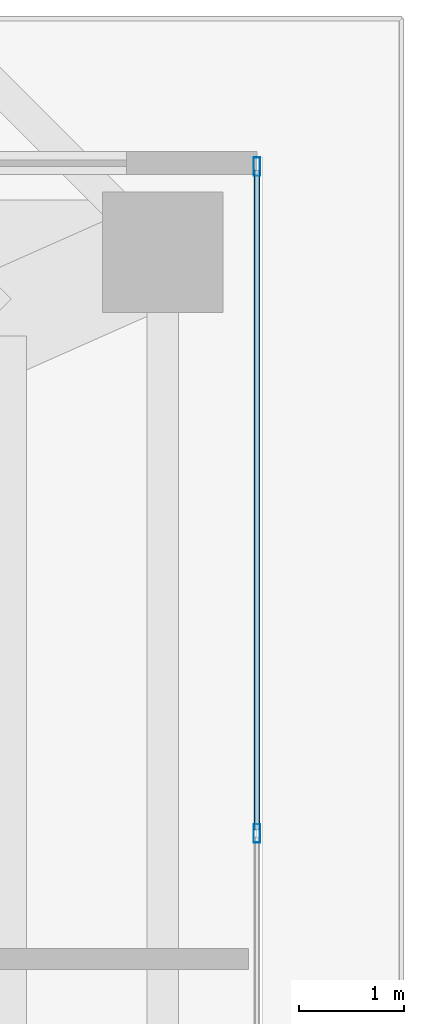
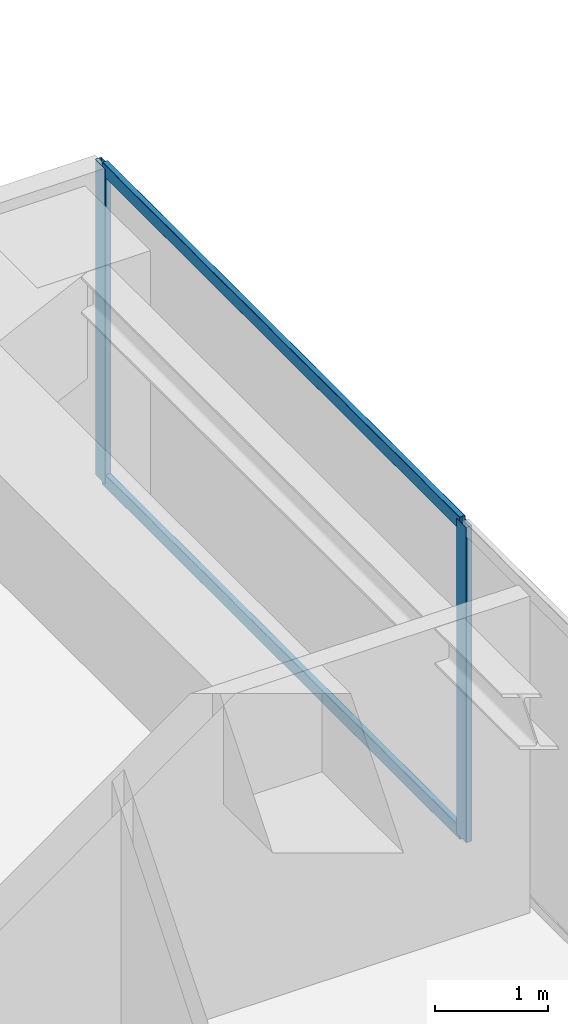
# One storey, part 25 of 39: 4 members, 1 element without a shape of its own.
"""IFC4 building model written with IfcOpenShell, lengths in metres."""

from ifc_helpers import new_model, si_unit, direction, frame, origin, origin_2d, place, context, subcontext, project, spatial, hollow_rectangle, extrude, source, transform, mapped, material, layer, layer_set, material_profile, profile_set, type_object, element, aggregate, save


model = new_model("IFC4")

# Units and contexts
model_context = context("Model", 3, precision=1e-05, world=origin(), true_north=direction((0.0, 1.0)))
body_context = subcontext(model_context, "Body", "Model", "MODEL_VIEW")
ifc_project = project(units=[si_unit("LENGTHUNIT", "METRE"), si_unit("AREAUNIT", "SQUARE_METRE"), si_unit("VOLUMEUNIT", "CUBIC_METRE"), si_unit("PLANEANGLEUNIT", "RADIAN"), si_unit("MASSUNIT", "GRAM", prefix="KILO")], contexts=[model_context])

# Site, building, storey
site_placement = place(None, origin())
site = spatial("IfcSite", under=ifc_project, at=site_placement, CompositionType="ELEMENT")
building_placement = place(site_placement, origin())
building = spatial("IfcBuilding", under=site, at=building_placement, Name="Serunith Strait Residences", CompositionType="ELEMENT")
storey_placement = place(building_placement, frame((0.0, 0.0, 283.60009765625)))
storey = spatial("IfcBuildingStorey", under=building, at=storey_placement, Name="L71", CompositionType="ELEMENT", Elevation=283.60009765625)

# Curtain wall, members
ifc_material = material(Name="Pale-Champagne Anodised Aluminium", Category="aluminium")
ifc_layer = layer(ifc_material, 0.199951171875, Name="Pale-Champagne Anodised Aluminium")
ifc_layer_set = layer_set([ifc_layer], Name="Pale-Champagne Anodised Aluminium")
curtain_wall_type = type_object("IfcCurtainWallType", Name="CW-SYS4", PredefinedType="NOTDEFINED", material=ifc_layer_set)
curtain_wall_placement = place(storey_placement, origin())
curtain_wall = element("IfcCurtainWall", 1, at=curtain_wall_placement, inside=storey, type_object=curtain_wall_type, Name="L71 E Unitised Fritted Curtain Wall", PredefinedType="NOTDEFINED")
ifc_material_profile_1 = material_profile(ifc_material, hollow_rectangle(XDim=0.06005859375, YDim=0.139892578125, WallThickness=0.00341796875, InnerFilletRadius=0.00537109375, OuterFilletRadius=0.0087890625, at=origin_2d()), Name="ALU 140x60x3.5")
ifc_profile_set_1 = profile_set([ifc_material_profile_1], Name="Pale-Champagne Anodised Aluminium")
member_type_1 = type_object("IfcMemberType", Name="CW-SYS4-TRAN", PredefinedType="USERDEFINED", material=ifc_profile_set_1)
shared_shape_1 = source(origin(), body_context, "Body", "SweptSolid", [
    extrude(hollow_rectangle(XDim=0.06005859375, YDim=0.139892578125, WallThickness=0.00341796875, InnerFilletRadius=0.00537109375, OuterFilletRadius=0.0087890625, at=origin_2d()), origin(), (0.0, 0.0, 1.0), 6.302490234375),
])
member_1_placement = place(storey_placement, frame((57.39990234375, 34.83251953125, 0.02978515625), z_axis=(0.0, 1.0, 0.0), x_axis=(-1.0, 0.0, 0.0)))
member_1 = element("IfcMember", 2, at=member_1_placement, type_object=member_type_1, Name="CW-4 transom 5.1", ObjectType="TRANSOM", PredefinedType="USERDEFINED", context=body_context, shape_type="MappedRepresentation", body=[
    mapped(shared_shape_1, transform((0.0, 0.0, 0.0), scale=1.0)),
])
member_2_placement = place(storey_placement, frame((57.39990234375, 34.83251953125, 3.364990234375), z_axis=(0.0, 1.0, 0.0), x_axis=(-1.0, 0.0, 0.0)))
member_2 = element("IfcMember", 3, at=member_2_placement, type_object=member_type_1, Name="CW-4 transom 5.2", ObjectType="TRANSOM", PredefinedType="USERDEFINED", context=body_context, shape_type="MappedRepresentation", body=[
    mapped(shared_shape_1, transform((0.0, 0.0, 0.0), scale=1.0)),
])
ifc_material_profile_2 = material_profile(ifc_material, hollow_rectangle(XDim=0.06494140625, YDim=0.179931640625, WallThickness=0.00341796875, InnerFilletRadius=0.00537109375, OuterFilletRadius=0.0087890625, at=origin_2d()), Name="ALU 180x65x3.5")
ifc_profile_set_2 = profile_set([ifc_material_profile_2], Name="Pale-Champagne Anodised Aluminium")
member_type_2 = type_object("IfcMemberType", Name="CW-SYS4-MULL", PredefinedType="MULLION", material=ifc_profile_set_2)
shared_shape_2 = source(origin(), body_context, "Body", "SweptSolid", [
    extrude(hollow_rectangle(XDim=0.06494140625, YDim=0.179931640625, WallThickness=0.00341796875, InnerFilletRadius=0.00537109375, OuterFilletRadius=0.0087890625, at=origin_2d()), origin(), (0.0, 0.0, 1.0), 3.39501953125),
])
member_3_placement = place(storey_placement, frame((57.39990234375, 34.800048828125, 0.0), z_axis=(0.0, 0.0, 1.0), x_axis=(-1.0, 0.0, 0.0)))
member_3 = element("IfcMember", 4, at=member_3_placement, type_object=member_type_2, Name="CW-4 mullion 5", PredefinedType="MULLION", context=body_context, shape_type="MappedRepresentation", body=[
    mapped(shared_shape_2, transform((0.0, 0.0, 0.0), scale=1.0)),
])
member_4_placement = place(storey_placement, frame((57.39990234375, 41.16748046875, 0.0), z_axis=(0.0, 0.0, 1.0), x_axis=(-1.0, 0.0, 0.0)))
member_4 = element("IfcMember", 5, at=member_4_placement, type_object=member_type_2, Name="CW-4 mullion 6", PredefinedType="MULLION", context=body_context, shape_type="MappedRepresentation", body=[
    mapped(shared_shape_2, transform((0.0, 0.0, 0.0), scale=1.0)),
])
aggregate(curtain_wall, [member_3, member_4, member_1, member_2])

save(model, "model.ifc")
